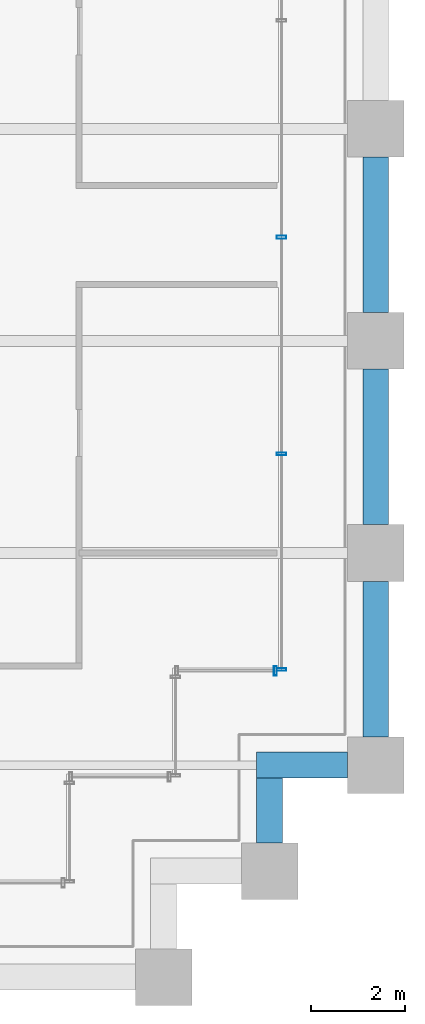
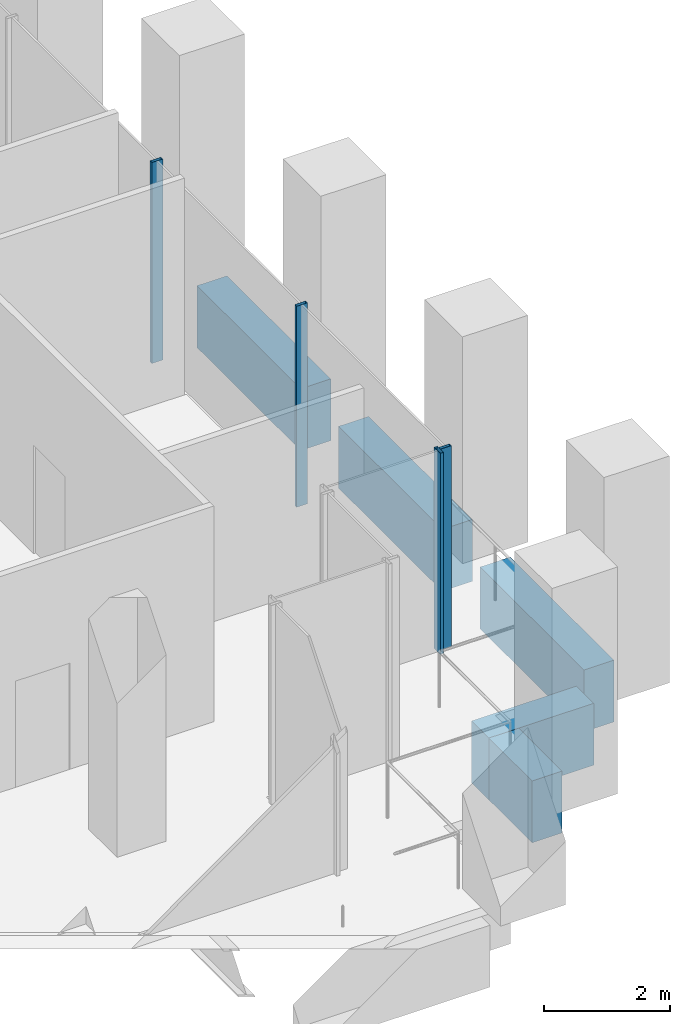
# One storey, part 26 of 36: 5 beams, 4 members, 2 elements without a shape of their own.
"""IFC4 building model written with IfcOpenShell, lengths in metres."""

from ifc_helpers import new_model, si_unit, direction, frame, origin, origin_2d, place, context, subcontext, project, spatial, rectangle, hollow_rectangle, extrude, material, material_profile, profile_set, type_object, element, aggregate, save


model = new_model("IFC4")

# Units and contexts
model_context = context("Model", 3, precision=1e-05, world=origin(), true_north=direction((0.0, 1.0)))
body_context = subcontext(model_context, "Body", "Model", "MODEL_VIEW")
ifc_project = project(units=[si_unit("LENGTHUNIT", "METRE"), si_unit("AREAUNIT", "SQUARE_METRE"), si_unit("VOLUMEUNIT", "CUBIC_METRE"), si_unit("PLANEANGLEUNIT", "RADIAN"), si_unit("MASSUNIT", "GRAM", prefix="KILO")], contexts=[model_context])

# Site, building, storey
site_placement = place(None, origin())
site = spatial("IfcSite", under=ifc_project, at=site_placement, CompositionType="ELEMENT")
building_placement = place(site_placement, origin())
building = spatial("IfcBuilding", under=site, at=building_placement, Name="Altepetl Exchange Towers", CompositionType="ELEMENT")
storey_placement = place(building_placement, frame((0.0, 0.0, 38.60009765625)))
storey = spatial("IfcBuildingStorey", under=building, at=storey_placement, Name="L08", CompositionType="ELEMENT", Elevation=38.60009765625)

# Curtain wall, member
ifc_material_1 = material(Name="Aluminium 6063-T6 glazing", Category="aluminium")
curtain_wall_type = type_object("IfcCurtainWallType", Name="Trading floor glazing system", PredefinedType="NOTDEFINED", material=ifc_material_1)
curtain_wall_1_placement = place(storey_placement, origin())
curtain_wall_1 = element("IfcCurtainWall", 1, at=curtain_wall_1_placement, inside=storey, type_object=curtain_wall_type, Name="CW2 run", PredefinedType="NOTDEFINED")
ifc_material_2 = material(Name="Aluminium 6063-T6", Category="aluminium")
ifc_material_profile_1 = material_profile(ifc_material_2, hollow_rectangle(XDim=0.06005859375, YDim=0.199951171875, WallThickness=0.0029296875, at=origin_2d()), Name="Mullion 60x200 aluminium")
ifc_profile_set_1 = profile_set([ifc_material_profile_1], Name="Aluminium 6063-T6")
member_type = type_object("IfcMemberType", Name="Mullion 60x200 aluminium", PredefinedType="MULLION", material=ifc_profile_set_1)
member_1_placement = place(storey_placement, frame((123.8701171875, 33.5, 0.0)))
member_1 = element("IfcMember", 2, at=member_1_placement, type_object=member_type, Name="MU2 mullion", PredefinedType="MULLION", context=body_context, shape_type="SweptSolid", body=[
    extrude(hollow_rectangle(XDim=0.06005859375, YDim=0.199951171875, WallThickness=0.0029296875, at=origin_2d()), origin(), (0.0, 0.0, 1.0), 3.89990234375),
])
aggregate(curtain_wall_1, [member_1])

# Curtain wall, members
curtain_wall_2_placement = place(storey_placement, origin())
curtain_wall_2 = element("IfcCurtainWall", 3, at=curtain_wall_2_placement, inside=storey, type_object=curtain_wall_type, Name="CW2 run", PredefinedType="NOTDEFINED")
member_2_placement = place(storey_placement, frame((124.0, 33.530029296875, 0.0), z_axis=(0.0, 0.0, 1.0), x_axis=(0.0, 1.0, 0.0)))
member_2 = element("IfcMember", 4, at=member_2_placement, type_object=member_type, Name="MU2 mullion", PredefinedType="MULLION", context=body_context, shape_type="SweptSolid", body=[
    extrude(hollow_rectangle(XDim=0.06005859375, YDim=0.199951171875, WallThickness=0.0029296875, at=origin_2d()), origin(), (0.0, 0.0, 1.0), 3.89990234375),
])
member_3_placement = place(storey_placement, frame((124.0, 38.10009765625, 0.0), z_axis=(0.0, 0.0, 1.0), x_axis=(0.0, 1.0, 0.0)))
member_3 = element("IfcMember", 5, at=member_3_placement, type_object=member_type, Name="MU2 mullion", PredefinedType="MULLION", context=body_context, shape_type="SweptSolid", body=[
    extrude(hollow_rectangle(XDim=0.06005859375, YDim=0.199951171875, WallThickness=0.0029296875, at=origin_2d()), origin(), (0.0, 0.0, 1.0), 3.89990234375),
])
member_4_placement = place(storey_placement, frame((124.0, 42.699951171875, 0.0), z_axis=(0.0, 0.0, 1.0), x_axis=(0.0, 1.0, 0.0)))
member_4 = element("IfcMember", 6, at=member_4_placement, type_object=member_type, Name="MU2 mullion", PredefinedType="MULLION", context=body_context, shape_type="SweptSolid", body=[
    extrude(hollow_rectangle(XDim=0.06005859375, YDim=0.199951171875, WallThickness=0.0029296875, at=origin_2d()), origin(), (0.0, 0.0, 1.0), 3.89990234375),
])
aggregate(curtain_wall_2, [member_2, member_3, member_4])

# Beams
ifc_material_3 = material(Name="Concrete C50/60 precast with cantera blanca facing", Category="concrete")
ifc_material_profile_2 = material_profile(ifc_material_3, rectangle(XDim=0.550048828125, YDim=1.199951171875, at=origin_2d()), Name="550 x 1200")
ifc_profile_set_2 = profile_set([ifc_material_profile_2], Name="Concrete C50/60 precast with cantera blanca facing")
beam_type = type_object("IfcBeamType", Name="Spandrel beam 550x1200 cantera blanca", PredefinedType="SPANDREL", material=ifc_profile_set_2)
beam_1_placement = place(storey_placement, frame((123.75, 29.85009765625, -0.775146484375), z_axis=(0.0, 1.0, 0.0), x_axis=(-1.0, 0.0, 0.0)))
element("IfcBeam", 7, at=beam_1_placement, inside=storey, type_object=beam_type, Name="sp:B:L08:007", PredefinedType="SPANDREL", context=body_context, shape_type="SweptSolid", body=[
    extrude(rectangle(XDim=0.550048828125, YDim=1.199951171875, at=origin_2d()), origin(), (0.0, 0.0, 1.0), 1.375),
])
beam_2_placement = place(storey_placement, frame((123.47509765625, 31.5, -0.775146484375), z_axis=(1.0, 0.0, 0.0), x_axis=(0.0, 1.0, 0.0)))
element("IfcBeam", 8, at=beam_2_placement, inside=storey, type_object=beam_type, Name="sp:B:L08:008", PredefinedType="SPANDREL", context=body_context, shape_type="SweptSolid", body=[
    extrude(rectangle(XDim=0.550048828125, YDim=1.199951171875, at=origin_2d()), origin(), (0.0, 0.0, 1.0), 1.9248046875),
])
for number, where, z_axis, x_axis, name in (
    (9, (126.0, 32.10009765625, -0.775146484375), (0.0, 1.0, 0.0), (-1.0, 0.0, 0.0), "sp:B:L08:009"),
    (10, (126.0, 36.60009765625, -0.775146484375), (0.0, 1.0, 0.0), (-1.0, 0.0, 0.0), "sp:B:L08:010"),
    (11, (126.0, 41.10009765625, -0.775146484375), (0.0, 1.0, 0.0), (-1.0, 0.0, 0.0), "sp:B:L08:011"),
):
    element("IfcBeam", number, at=place(storey_placement, frame(where, z_axis=z_axis, x_axis=x_axis)), inside=storey, type_object=beam_type, Name=name, PredefinedType="SPANDREL", context=body_context, shape_type="SweptSolid", body=[
        extrude(rectangle(XDim=0.550048828125, YDim=1.199951171875, at=origin_2d()), origin(), (0.0, 0.0, 1.0), 3.2998046875),
    ])

save(model, "model.ifc")
